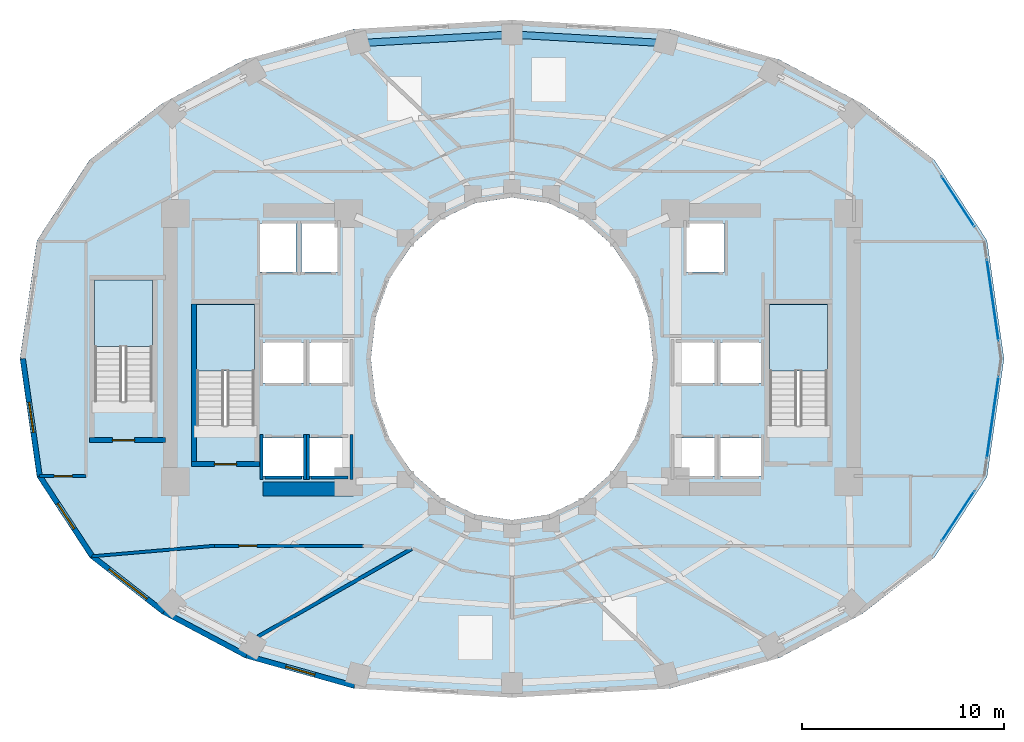
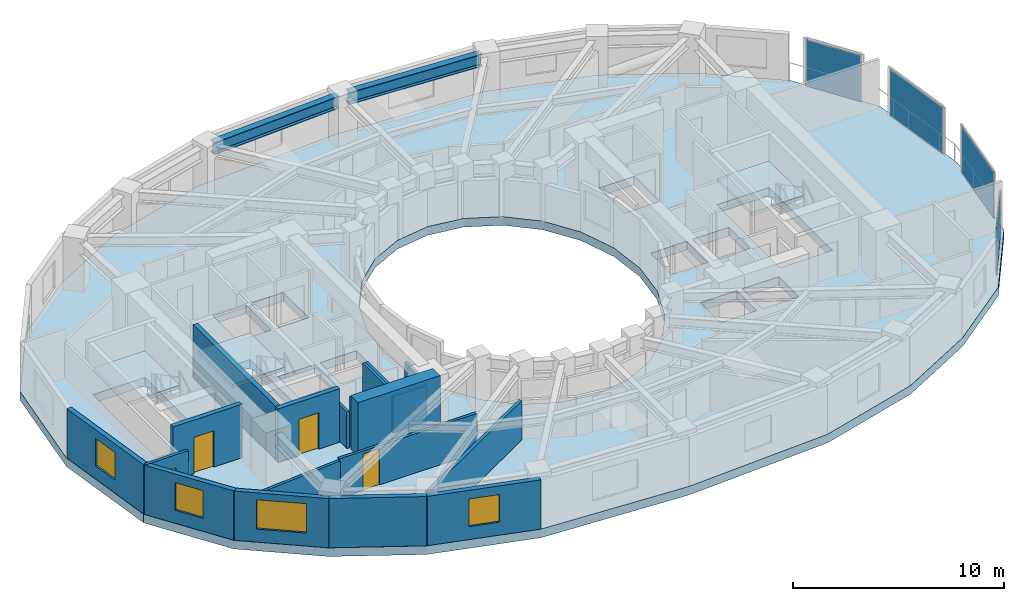
# One storey, part 6 of 13: 19 walls, 4 doors, 4 plates, 4 slabs, 4 windows, 2 beams, 8 openings, 7 elements without a shape of their own.
"""IFC4 building model written with IfcOpenShell, lengths in metres."""

from ifc_helpers import new_model, si_unit, direction, frame, frame_2d, origin, origin_2d, place, context, subcontext, project, spatial, polyline, rectangle, i_section, outline, extrude, material, layer, layer_set, material_profile, profile_set, type_object, element, fill, aggregate, save


model = new_model("IFC4")

# Units and contexts
model_context = context("Model", 3, precision=1e-05, world=origin(), true_north=direction((0.0, 1.0)))
body_context = subcontext(model_context, "Body", "Model", "MODEL_VIEW")
ifc_project = project(units=[si_unit("LENGTHUNIT", "METRE"), si_unit("AREAUNIT", "SQUARE_METRE"), si_unit("VOLUMEUNIT", "CUBIC_METRE"), si_unit("PLANEANGLEUNIT", "RADIAN"), si_unit("MASSUNIT", "GRAM", prefix="KILO")], contexts=[model_context])

# Site, building, storey
site_placement = place(None, origin())
site = spatial("IfcSite", under=ifc_project, at=site_placement, CompositionType="ELEMENT")
building_placement = place(site_placement, origin())
building = spatial("IfcBuilding", under=site, at=building_placement, Name="Solvane Sanctuary Tower", CompositionType="ELEMENT")
storey_placement = place(building_placement, frame((0.0, 0.0, 85.60009765625)))
storey = spatial("IfcBuildingStorey", under=building, at=storey_placement, Name="L25", CompositionType="ELEMENT", Elevation=85.60009765625)

# Beams
ifc_material_1 = material(Name="Steel ASTM A992 Grade 50", Category="steel")
ifc_material_profile = material_profile(ifc_material_1, i_section(OverallWidth=0.35791015625, OverallDepth=0.7060546875, WebThickness=0.018310546875, FlangeThickness=0.0302734375, FilletRadius=0.01806640625, at=origin_2d()), Name="W27X178")
ifc_profile_set = profile_set([ifc_material_profile], Name="Steel ASTM A992 Grade 50")
beam_type = type_object("IfcBeamType", Name="Beam B-SPAND-Z2 W27X178", PredefinedType="SPANDREL", material=ifc_profile_set)
for number, where, z_axis, x_axis, name in (
    (1, (24.650146484375, 38.667724609375, 2.52490234375), (0.998431364179, 0.055989383129, 0.0), (-0.055989383129, 0.998431364179, 0.0), "L25 Perimeter Spandrel Beam TC05-TC04"),
    (2, (32.279541015625, 39.064208984375, 2.52490234375), (0.998431364179, -0.055989383129, 0.0), (0.055989383129, 0.998431364179, 0.0), "L25 Perimeter Spandrel Beam TC04-TC03"),
):
    element("IfcBeam", number, at=place(storey_placement, frame(where, z_axis=z_axis, x_axis=x_axis)), inside=storey, type_object=beam_type, Name=name, PredefinedType="SPANDREL", context=body_context, shape_type="SweptSolid", body=[
        extrude(i_section(OverallWidth=0.35791015625, OverallDepth=0.7060546875, WebThickness=0.018310546875, FlangeThickness=0.0302734375, FilletRadius=0.01806640625, at=origin_2d()), origin(), (0.0, 0.0, 1.0), 7.081298828125),
    ])

# Curtain wall, plate
ifc_material_2 = material(Name="Anodised Aluminium 6063-T6", Category="aluminium")
ifc_layer_1 = layer(ifc_material_2, 0.2099609375, Name="Anodised Aluminium 6063-T6")
ifc_layer_set_1 = layer_set([ifc_layer_1], Name="Anodised Aluminium 6063-T6")
curtain_wall_type = type_object("IfcCurtainWallType", Name="Curtain Wall CW-PORTAL", PredefinedType="NOTDEFINED", material=ifc_layer_set_1)
curtain_wall_1_placement = place(storey_placement, origin())
curtain_wall_1 = element("IfcCurtainWall", 3, at=curtain_wall_1_placement, inside=storey, type_object=curtain_wall_type, Name="L25 CW-PORTAL Facade Run 00", PredefinedType="NOTDEFINED")
ifc_material_3 = material(Name="Dark Ceramic-Fritted Low-E Glass", Category="glass")
ifc_layer_2 = layer(ifc_material_3, 0.031982421875, Name="Dark Ceramic-Fritted Low-E Glass")
ifc_layer_set_2 = layer_set([ifc_layer_2], Name="Dark Ceramic-Fritted Low-E Glass")
plate_type = type_object("IfcPlateType", Name="Plate PN-FRIT-VIS", PredefinedType="CURTAIN_PANEL", material=ifc_layer_set_2)
plate_1_placement = place(storey_placement, frame((55.8408203125, 25.909423828125, 0.06494140625), z_axis=(0.0, 0.0, 1.0), x_axis=(-0.142587151113, 0.989782250971, 0.0)))
plate_1 = element("IfcPlate", 4, at=plate_1_placement, type_object=plate_type, Name="CW-PORTAL panel 1.1", PredefinedType="CURTAIN_PANEL", context=body_context, shape_type="SweptSolid", body=[
    extrude(rectangle(XDim=4.0888671875, YDim=0.031982421875, at=origin_2d()), origin(), (0.0, 0.0, 1.0), 2.7099609375),
])
aggregate(curtain_wall_1, [plate_1])

curtain_wall_2_placement = place(storey_placement, origin())
curtain_wall_2 = element("IfcCurtainWall", 5, at=curtain_wall_2_placement, inside=storey, type_object=curtain_wall_type, Name="L25 CW-PORTAL Facade Run 01", PredefinedType="NOTDEFINED")
plate_2_placement = place(storey_placement, frame((54.12109375, 30.802490234375, 0.06494140625), z_axis=(0.0, 0.0, 1.0), x_axis=(-0.548275714249, 0.8362976391, 0.0)))
plate_2 = element("IfcPlate", 6, at=plate_2_placement, type_object=plate_type, Name="CW-PORTAL panel 1.1", PredefinedType="CURTAIN_PANEL", context=body_context, shape_type="SweptSolid", body=[
    extrude(rectangle(XDim=2.954345703125, YDim=0.031982421875, at=origin_2d()), origin(), (0.0, 0.0, 1.0), 2.7099609375),
])
aggregate(curtain_wall_2, [plate_2])

curtain_wall_3_placement = place(storey_placement, origin())
curtain_wall_3 = element("IfcCurtainWall", 7, at=curtain_wall_3_placement, inside=storey, type_object=curtain_wall_type, Name="L25 CW-PORTAL Facade Run 22", PredefinedType="NOTDEFINED")
plate_3_placement = place(storey_placement, frame((54.12109375, 15.197509765625, 0.06494140625), z_axis=(0.0, 0.0, 1.0), x_axis=(0.548275714249, 0.8362976391, 0.0)))
plate_3 = element("IfcPlate", 8, at=plate_3_placement, type_object=plate_type, Name="CW-PORTAL panel 1.1", PredefinedType="CURTAIN_PANEL", context=body_context, shape_type="SweptSolid", body=[
    extrude(rectangle(XDim=2.954345703125, YDim=0.031982421875, at=origin_2d()), origin(), (0.0, 0.0, 1.0), 2.7099609375),
])
aggregate(curtain_wall_3, [plate_3])

curtain_wall_4_placement = place(storey_placement, origin())
curtain_wall_4 = element("IfcCurtainWall", 9, at=curtain_wall_4_placement, inside=storey, type_object=curtain_wall_type, Name="L25 CW-PORTAL Facade Run 23", PredefinedType="NOTDEFINED")
plate_4_placement = place(storey_placement, frame((55.8408203125, 20.090576171875, 0.06494140625), z_axis=(0.0, 0.0, 1.0), x_axis=(0.142587151113, 0.989782250971, 0.0)))
plate_4 = element("IfcPlate", 10, at=plate_4_placement, type_object=plate_type, Name="CW-PORTAL panel 1.1", PredefinedType="CURTAIN_PANEL", context=body_context, shape_type="SweptSolid", body=[
    extrude(rectangle(XDim=4.0888671875, YDim=0.031982421875, at=origin_2d()), origin(), (0.0, 0.0, 1.0), 2.7099609375),
])
aggregate(curtain_wall_4, [plate_4])

# Stair, slab
ifc_material_4 = material(Name="Concrete C45/55", Category="concrete")
stair_type = type_object("IfcStairType", Name="Stair ST-TOW", PredefinedType="HALF_TURN_STAIR", material=ifc_material_4)
stair_1_placement = place(storey_placement, origin())
stair_1 = element("IfcStair", 11, at=stair_1_placement, inside=storey, type_object=stair_type, Name="L25 Exit Stair ST-1 West Core", PredefinedType="HALF_TURN_STAIR")
ifc_layer_3 = layer(ifc_material_4, 0.199951171875, Name="Concrete C45/55")
ifc_layer_set_3 = layer_set([ifc_layer_3], Name="Concrete C45/55")
slab_type_1 = type_object("IfcSlabType", Name="Slab SL-LAND-180", PredefinedType="LANDING", material=ifc_layer_set_3)
slab_1_placement = place(storey_placement, frame((0.0, 0.0, 1.349853515625)))
slab_1 = element("IfcSlab", 12, at=slab_1_placement, type_object=slab_type_1, Name="ST-1 landing 1", PredefinedType="LANDING", context=body_context, shape_type="SweptSolid", body=[
    extrude(outline(polyline([(19.219970703125, 22.39990234375), (19.219970703125, 25.699951171875), (16.360107421875, 25.699951171875), (16.360107421875, 22.39990234375), (19.219970703125, 22.39990234375)])), origin(), (0.0, 0.0, 1.0), 0.199951171875),
])
aggregate(stair_1, [slab_1])

stair_2_placement = place(storey_placement, origin())
stair_2 = element("IfcStair", 13, at=stair_2_placement, inside=storey, type_object=stair_type, Name="L25 Exit Stair ST-2 East Core", PredefinedType="HALF_TURN_STAIR")
slab_2_placement = place(storey_placement, frame((0.0, 0.0, 1.349853515625)))
slab_2 = element("IfcSlab", 14, at=slab_2_placement, type_object=slab_type_1, Name="ST-2 landing 1", PredefinedType="LANDING", context=body_context, shape_type="SweptSolid", body=[
    extrude(outline(polyline([(47.639892578125, 22.39990234375), (47.639892578125, 25.699951171875), (44.780029296875, 25.699951171875), (44.780029296875, 22.39990234375), (47.639892578125, 22.39990234375)])), origin(), (0.0, 0.0, 1.0), 0.199951171875),
])
aggregate(stair_2, [slab_2])

stair_3_placement = place(storey_placement, origin())
stair_3 = element("IfcStair", 15, at=stair_3_placement, inside=storey, type_object=stair_type, Name="L25 Exit Stair ST-3 Pilgrim Tower Stair", PredefinedType="HALF_TURN_STAIR")
slab_3_placement = place(storey_placement, frame((0.0, 0.0, 1.349853515625)))
slab_3 = element("IfcSlab", 16, at=slab_3_placement, type_object=slab_type_1, Name="ST-3 landing 1", PredefinedType="LANDING", context=body_context, shape_type="SweptSolid", body=[
    extrude(outline(polyline([(14.159912109375, 23.60009765625), (14.159912109375, 26.89990234375), (11.300048828125, 26.89990234375), (11.300048828125, 23.60009765625), (14.159912109375, 23.60009765625)])), origin(), (0.0, 0.0, 1.0), 0.199951171875),
])
aggregate(stair_3, [slab_3])

# Slab
ifc_material_5 = material(Name="Concrete C60/75", Category="concrete")
ifc_layer_4 = layer(ifc_material_5, 0.5, Name="Concrete C60/75")
ifc_layer_set_4 = layer_set([ifc_layer_4], Name="Concrete C60/75")
slab_type_2 = type_object("IfcSlabType", Name="Slab SL-XFER-500", PredefinedType="FLOOR", material=ifc_layer_set_4)
slab_4_placement = place(storey_placement, frame((0.0, 0.0, -0.5)))
element("IfcSlab", 17, at=slab_4_placement, inside=storey, type_object=slab_type_2, Name="L25 Primary Structural Slab", PredefinedType="FLOOR", context=body_context, shape_type="SweptSolid", body=[
    extrude(outline(polyline([(56.39990234375, 23.0), (55.556884765625, 28.86376953125), (52.94091796875, 32.8623046875), (49.365478515625, 35.650390625), (45.249267578125, 37.83544921875), (39.861328125, 39.347412109375), (32.0, 39.800048828125), (24.138671875, 39.347412109375), (18.750732421875, 37.83544921875), (14.634521484375, 35.650390625), (11.05908203125, 32.8623046875), (8.443115234375, 28.86376953125), (7.60009765625, 23.0), (8.443115234375, 17.13623046875), (11.05908203125, 13.1376953125), (14.634521484375, 10.349609375), (18.750732421875, 8.16455078125), (24.138671875, 6.652587890625), (32.0, 6.199951171875), (39.861328125, 6.652587890625), (45.249267578125, 8.16455078125), (49.365478515625, 10.349609375), (52.94091796875, 13.1376953125), (55.556884765625, 17.13623046875), (56.39990234375, 23.0)]), holes=[polyline([(38.761474609375, 20.929443359375), (38.062255859375, 19.0), (36.94970703125, 17.343017578125), (35.5, 16.07177734375), (33.811767578125, 15.272705078125), (32.0, 15.0), (30.188232421875, 15.272705078125), (28.5, 16.07177734375), (27.05029296875, 17.343017578125), (25.937744140625, 19.0), (25.238525390625, 20.929443359375), (25.0, 23.0), (25.238525390625, 25.070556640625), (25.937744140625, 27.0), (27.05029296875, 28.656982421875), (28.5, 29.92822265625), (30.188232421875, 30.727294921875), (32.0, 31.0), (33.811767578125, 30.727294921875), (35.5, 29.92822265625), (36.94970703125, 28.656982421875), (38.062255859375, 27.0), (38.761474609375, 25.070556640625), (39.0, 23.0), (38.761474609375, 20.929443359375)]), polyline([(16.360107421875, 19.699951171875), (16.360107421875, 25.699951171875), (19.219970703125, 25.699951171875), (19.219970703125, 19.699951171875), (16.360107421875, 19.699951171875)]), polyline([(44.780029296875, 19.699951171875), (44.780029296875, 25.699951171875), (47.639892578125, 25.699951171875), (47.639892578125, 19.699951171875), (44.780029296875, 19.699951171875)]), polyline([(11.300048828125, 20.89990234375), (11.300048828125, 26.89990234375), (14.159912109375, 26.89990234375), (14.159912109375, 20.89990234375), (11.300048828125, 20.89990234375)]), polyline([(19.64990234375, 19.080078125), (21.64990234375, 19.080078125), (21.64990234375, 17.179931640625), (19.64990234375, 17.179931640625), (19.64990234375, 19.080078125)]), polyline([(21.949951171875, 19.080078125), (23.949951171875, 19.080078125), (23.949951171875, 17.179931640625), (21.949951171875, 17.179931640625), (21.949951171875, 19.080078125)]), polyline([(40.050048828125, 19.080078125), (42.050048828125, 19.080078125), (42.050048828125, 17.179931640625), (40.050048828125, 17.179931640625), (40.050048828125, 19.080078125)]), polyline([(42.35009765625, 19.080078125), (44.35009765625, 19.080078125), (44.35009765625, 17.179931640625), (42.35009765625, 17.179931640625), (42.35009765625, 19.080078125)]), polyline([(19.64990234375, 23.800048828125), (21.64990234375, 23.800048828125), (21.64990234375, 21.800048828125), (19.64990234375, 21.800048828125), (19.64990234375, 23.800048828125)]), polyline([(42.35009765625, 23.800048828125), (44.35009765625, 23.800048828125), (44.35009765625, 21.800048828125), (42.35009765625, 21.800048828125), (42.35009765625, 23.800048828125)]), polyline([(21.949951171875, 23.800048828125), (23.949951171875, 23.800048828125), (23.949951171875, 21.800048828125), (21.949951171875, 21.800048828125), (21.949951171875, 23.800048828125)]), polyline([(40.050048828125, 23.800048828125), (42.050048828125, 23.800048828125), (42.050048828125, 21.800048828125), (40.050048828125, 21.800048828125), (40.050048828125, 23.800048828125)]), polyline([(19.5, 29.699951171875), (21.300048828125, 29.699951171875), (21.300048828125, 27.300048828125), (19.5, 27.300048828125), (19.5, 29.699951171875)]), polyline([(21.550048828125, 29.699951171875), (23.35009765625, 29.699951171875), (23.35009765625, 27.300048828125), (21.550048828125, 27.300048828125), (21.550048828125, 29.699951171875)]), polyline([(40.64990234375, 29.699951171875), (42.550048828125, 29.699951171875), (42.550048828125, 27.300048828125), (40.64990234375, 27.300048828125), (40.64990234375, 29.699951171875)])]), origin(), (0.0, 0.0, 1.0), 0.5),
])

# Wall
ifc_layer_5 = layer(ifc_material_5, 0.699951171875, Name="Concrete C60/75")
ifc_layer_set_5 = layer_set([ifc_layer_5], Name="Concrete C60/75")
wall_type_1 = type_object("IfcWallType", Name="Wall W-CORE-700", PredefinedType="SHEAR", material=ifc_layer_set_5)
wall_1_placement = place(storey_placement, frame((19.64990234375, 16.550048828125, 0.0), z_axis=(0.0, 0.0, 1.0), x_axis=(1.0, 0.0, 0.0)))
element("IfcWall", 18, at=wall_1_placement, inside=storey, type_object=wall_type_1, Name="L25 Core Shear Wall WC-S", PredefinedType="SHEAR", context=body_context, shape_type="SweptSolid", body=[
    extrude(rectangle(XDim=4.5, YDim=0.699951171875, at=frame_2d((2.25, 0.0))), origin(), (0.0, 0.0, 1.0), 3.099853515625),
])

# Wall, opening, door
ifc_material_6 = material(Name="Acoustic Gypsum Partition Board")
ifc_layer_6 = layer(ifc_material_6, 0.14990234375, Name="Acoustic Gypsum Partition Board")
ifc_layer_set_6 = layer_set([ifc_layer_6], Name="Acoustic Gypsum Partition Board")
wall_type_2 = type_object("IfcWallType", Name="Wall W-CORR-150", PredefinedType="PARTITIONING", material=ifc_layer_set_6)
wall_2_placement = place(storey_placement, frame((8.558349609375, 17.1748046875, 0.0), z_axis=(0.0, 0.0, 1.0), x_axis=(1.0, 0.0, 0.0)))
wall_2 = element("IfcWall", 19, at=wall_2_placement, inside=storey, type_object=wall_type_2, Name="L25 West Shoulder South Wall", PredefinedType="PARTITIONING", context=body_context, shape_type="SweptSolid", body=[
    extrude(rectangle(XDim=2.321533203125, YDim=0.14990234375, at=frame_2d((1.16064453125, 0.0))), origin(), (0.0, 0.0, 1.0), 2.85498046875),
])
opening_1_placement = place(wall_2_placement, frame((0.739013671875, 0.0, 0.0)))
opening_1 = element("IfcOpeningElement", 20, at=opening_1_placement, cuts=wall_2, Name="Opening D-L25-09", PredefinedType="OPENING", context=body_context, shape_type="SweptSolid", body=[
    extrude(rectangle(XDim=0.89990234375, YDim=2.10009765625, at=frame_2d((0.449951171875, 1.050048828125))), frame((0.0, 0.0849609375, 0.0), z_axis=(0.0, -1.0, 0.0), x_axis=(1.0, 0.0, 0.0)), (0.0, 0.0, 1.0), 0.169921875),
])
ifc_material_7 = material(Name="Engineered Tropical Hardwood", Category="wood")
door_type_1 = type_object("IfcDoorType", Name="Door D-WET-900", OperationType="NOTDEFINED", PredefinedType="DOOR", material=ifc_material_7)
door_1_placement = place(opening_1_placement, origin())
door_1 = element("IfcDoor", 21, at=door_1_placement, inside=storey, type_object=door_type_1, Name="L25 West Shoulder South Door", OperationType="SINGLE_SWING_RIGHT", OverallHeight=2.10009765625, OverallWidth=0.89990234375, PredefinedType="DOOR", context=body_context, shape_type="SweptSolid", body=[
    extrude(rectangle(XDim=0.89990234375, YDim=2.10009765625, at=frame_2d((0.449951171875, 1.050048828125))), frame((0.0, 0.02490234375, 0.0), z_axis=(0.0, -1.0, 0.0), x_axis=(1.0, 0.0, 0.0)), (0.0, 0.0, 1.0), 0.050048828125),
])
fill(opening_1, door_1)

wall_3_placement = place(storey_placement, frame((17.14990234375, 13.719970703125, 0.0), z_axis=(0.0, 0.0, 1.0), x_axis=(1.0, 0.0, 0.0)))
wall_3 = element("IfcWall", 22, at=wall_3_placement, inside=storey, type_object=wall_type_2, Name="L25 SW Corner Corridor Wall", PredefinedType="PARTITIONING", context=body_context, shape_type="SweptSolid", body=[
    extrude(rectangle(XDim=7.52001953125, YDim=0.14990234375, at=frame_2d((3.760009765625, 0.0))), origin(), (0.0, 0.0, 1.0), 2.27197265625),
])
opening_2_placement = place(wall_3_placement, frame((1.300048828125, 0.0, 0.0)))
opening_2 = element("IfcOpeningElement", 23, at=opening_2_placement, cuts=wall_3, Name="Opening D-L25-12", PredefinedType="OPENING", context=body_context, shape_type="SweptSolid", body=[
    extrude(rectangle(XDim=0.89990234375, YDim=2.10009765625, at=frame_2d((0.449951171875, 1.050048828125))), frame((0.0, 0.0849609375, 0.0), z_axis=(0.0, -1.0, 0.0), x_axis=(1.0, 0.0, 0.0)), (0.0, 0.0, 1.0), 0.169921875),
])
door_2_placement = place(opening_2_placement, origin())
door_2 = element("IfcDoor", 24, at=door_2_placement, inside=storey, type_object=door_type_1, Name="L25 SW Corner Salon Door", OperationType="SINGLE_SWING_LEFT", OverallHeight=2.10009765625, OverallWidth=0.89990234375, PredefinedType="DOOR", context=body_context, shape_type="SweptSolid", body=[
    extrude(rectangle(XDim=0.89990234375, YDim=2.10009765625, at=frame_2d((0.449951171875, 1.050048828125))), frame((0.0, 0.02490234375, 0.0), z_axis=(0.0, -1.0, 0.0), x_axis=(1.0, 0.0, 0.0)), (0.0, 0.0, 1.0), 0.050048828125),
])
fill(opening_2, door_2)

# Wall
wall_4_placement = place(storey_placement, frame((17.249755859375, 13.724365234375, 0.0), z_axis=(0.0, 0.0, 1.0), x_axis=(-0.996341886029, -0.085456691633, 0.0)))
element("IfcWall", 25, at=wall_4_placement, inside=storey, type_object=wall_type_2, Name="L25 SW Corner Wing Wall", PredefinedType="PARTITIONING", context=body_context, shape_type="SweptSolid", body=[
    extrude(rectangle(XDim=6.108154296875, YDim=0.14990234375, at=frame_2d((3.05419921875, 0.0))), origin(), (0.0, 0.0, 1.0), 2.141845703125),
])

# Wall, opening, window
ifc_material_8 = material(Name="Precast concrete C40/50", Category="concrete")
ifc_layer_7 = layer(ifc_material_8, 0.260009765625, Name="Precast concrete C40/50")
ifc_layer_set_7 = layer_set([ifc_layer_7], Name="Precast concrete C40/50")
wall_type_3 = type_object("IfcWallType", Name="Wall W-EXT-250", PredefinedType="STANDARD", material=ifc_layer_set_7)
wall_5_placement = place(storey_placement, frame((7.739990234375, 23.0, 0.0), z_axis=(0.0, 0.0, 1.0), x_axis=(0.142572472068, -0.98978436551, 0.0)))
wall_5 = element("IfcWall", 26, at=wall_5_placement, inside=storey, type_object=wall_type_3, Name="L25 Ceramic-Printed Facade Wall 12", PredefinedType="STANDARD", context=body_context, shape_type="SweptSolid", body=[
    extrude(rectangle(XDim=5.878662109375, YDim=0.260009765625, at=frame_2d((2.939453125, 0.0))), origin(), (0.0, 0.0, 1.0), 2.849853515625),
])
opening_3_placement = place(wall_5_placement, frame((2.189453125, 0.0, 0.75)))
opening_3 = element("IfcOpeningElement", 27, at=opening_3_placement, cuts=wall_5, Name="Opening WN-OPER-1500", PredefinedType="OPENING", context=body_context, shape_type="SweptSolid", body=[
    extrude(rectangle(XDim=1.5, YDim=1.60009765625, at=frame_2d((0.75, 0.800048828125))), frame((0.0, 0.139892578125, 0.0), z_axis=(0.0, -1.0, 0.0), x_axis=(1.0, 0.0, 0.0)), (0.0, 0.0, 1.0), 0.280029296875),
])
window_type_1 = type_object("IfcWindowType", Name="Window WN-OPER-1500", PartitioningType="SINGLE_PANEL", PredefinedType="WINDOW", material=ifc_material_3)
window_1_placement = place(opening_3_placement, origin())
window_1 = element("IfcWindow", 28, at=window_1_placement, inside=storey, type_object=window_type_1, Name="L25 Operable Facade Window 12", OverallHeight=1.60009765625, OverallWidth=1.5, PartitioningType="SINGLE_PANEL", PredefinedType="WINDOW", context=body_context, shape_type="SweptSolid", body=[
    extrude(rectangle(XDim=1.5, YDim=1.60009765625, at=frame_2d((0.75, 0.800048828125))), frame((0.0, 0.030029296875, 0.0), z_axis=(0.0, -1.0, 0.0), x_axis=(1.0, 0.0, 0.0)), (0.0, 0.0, 1.0), 0.06005859375),
])
fill(opening_3, window_1)

wall_6_placement = place(storey_placement, frame((8.578125, 17.181396484375, 0.0), z_axis=(0.0, 0.0, 1.0), x_axis=(0.548283220945, -0.836292717672, 0.0)))
wall_6 = element("IfcWall", 29, at=wall_6_placement, inside=storey, type_object=wall_type_3, Name="L25 Ceramic-Printed Facade Wall 13", PredefinedType="STANDARD", context=body_context, shape_type="SweptSolid", body=[
    extrude(rectangle(XDim=4.744384765625, YDim=0.260009765625, at=frame_2d((2.3720703125, 0.0))), origin(), (0.0, 0.0, 1.0), 2.849853515625),
])
opening_4_placement = place(wall_6_placement, frame((1.622314453125, 0.0, 0.75)))
opening_4 = element("IfcOpeningElement", 30, at=opening_4_placement, cuts=wall_6, Name="Opening WN-OPER-1500", PredefinedType="OPENING", context=body_context, shape_type="SweptSolid", body=[
    extrude(rectangle(XDim=1.5, YDim=1.60009765625, at=frame_2d((0.75, 0.800048828125))), frame((0.0, 0.139892578125, 0.0), z_axis=(0.0, -1.0, 0.0), x_axis=(1.0, 0.0, 0.0)), (0.0, 0.0, 1.0), 0.280029296875),
])
window_2_placement = place(opening_4_placement, origin())
window_2 = element("IfcWindow", 31, at=window_2_placement, inside=storey, type_object=window_type_1, Name="L25 Operable Facade Window 13", OverallHeight=1.60009765625, OverallWidth=1.5, PartitioningType="SINGLE_PANEL", PredefinedType="WINDOW", context=body_context, shape_type="SweptSolid", body=[
    extrude(rectangle(XDim=1.5, YDim=1.60009765625, at=frame_2d((0.75, 0.800048828125))), frame((0.0, 0.030029296875, 0.0), z_axis=(0.0, -1.0, 0.0), x_axis=(1.0, 0.0, 0.0)), (0.0, 0.0, 1.0), 0.06005859375),
])
fill(opening_4, window_2)

wall_7_placement = place(storey_placement, frame((11.179443359375, 13.213623046875, 0.0), z_axis=(0.0, 0.0, 1.0), x_axis=(0.789127449954, -0.614229491094, 0.0)))
wall_7 = element("IfcWall", 32, at=wall_7_placement, inside=storey, type_object=wall_type_3, Name="L25 Ceramic-Printed Facade Wall 14", PredefinedType="STANDARD", context=body_context, shape_type="SweptSolid", body=[
    extrude(rectangle(XDim=4.504638671875, YDim=0.260009765625, at=frame_2d((2.25244140625, 0.0))), origin(), (0.0, 0.0, 1.0), 2.849853515625),
])
opening_5_placement = place(wall_7_placement, frame((1.05224609375, 0.0, 0.75)))
opening_5 = element("IfcOpeningElement", 33, at=opening_5_placement, cuts=wall_7, Name="Opening WN-RIB-2400", PredefinedType="OPENING", context=body_context, shape_type="SweptSolid", body=[
    extrude(rectangle(XDim=2.39990234375, YDim=1.699951171875, at=frame_2d((1.199951171875, 0.85009765625))), frame((0.0, 0.139892578125, 0.0), z_axis=(0.0, -1.0, 0.0), x_axis=(1.0, 0.0, 0.0)), (0.0, 0.0, 1.0), 0.280029296875),
])
window_type_2 = type_object("IfcWindowType", Name="Window WN-RIB-2400", PartitioningType="SINGLE_PANEL", PredefinedType="WINDOW", material=ifc_material_3)
window_3_placement = place(opening_5_placement, origin())
window_3 = element("IfcWindow", 34, at=window_3_placement, inside=storey, type_object=window_type_2, Name="L25 Operable Facade Window 14", OverallHeight=1.699951171875, OverallWidth=2.39990234375, PartitioningType="SINGLE_PANEL", PredefinedType="WINDOW", context=body_context, shape_type="SweptSolid", body=[
    extrude(rectangle(XDim=2.39990234375, YDim=1.699951171875, at=frame_2d((1.199951171875, 0.85009765625))), frame((0.0, 0.030029296875, 0.0), z_axis=(0.0, -1.0, 0.0), x_axis=(1.0, 0.0, 0.0)), (0.0, 0.0, 1.0), 0.06005859375),
])
fill(opening_5, window_3)

# Wall
wall_8_placement = place(storey_placement, frame((14.734130859375, 10.44677734375, 0.0), z_axis=(0.0, 0.0, 1.0), x_axis=(0.883668636807, -0.4681129568, 0.0)))
element("IfcWall", 35, at=wall_8_placement, inside=storey, type_object=wall_type_3, Name="L25 Ceramic-Printed Facade Wall 15", PredefinedType="STANDARD", context=body_context, shape_type="SweptSolid", body=[
    extrude(rectangle(XDim=4.63134765625, YDim=0.260009765625, at=frame_2d((2.315673828125, 0.0))), origin(), (0.0, 0.0, 1.0), 2.849853515625),
])

# Wall, opening, window
wall_9_placement = place(storey_placement, frame((18.82666015625, 8.27880859375, 0.0), z_axis=(0.0, 0.0, 1.0), x_axis=(0.962938491413, -0.269721081407, 0.0)))
wall_9 = element("IfcWall", 36, at=wall_9_placement, inside=storey, type_object=wall_type_3, Name="L25 Ceramic-Printed Facade Wall 16", PredefinedType="STANDARD", context=body_context, shape_type="SweptSolid", body=[
    extrude(rectangle(XDim=5.563232421875, YDim=0.260009765625, at=frame_2d((2.78173828125, 0.0))), origin(), (0.0, 0.0, 1.0), 2.849853515625),
])
opening_6_placement = place(wall_9_placement, frame((2.031494140625, 0.0, 0.75)))
opening_6 = element("IfcOpeningElement", 37, at=opening_6_placement, cuts=wall_9, Name="Opening WN-OPER-1500", PredefinedType="OPENING", context=body_context, shape_type="SweptSolid", body=[
    extrude(rectangle(XDim=1.5, YDim=1.60009765625, at=frame_2d((0.75, 0.800048828125))), frame((0.0, 0.139892578125, 0.0), z_axis=(0.0, -1.0, 0.0), x_axis=(1.0, 0.0, 0.0)), (0.0, 0.0, 1.0), 0.280029296875),
])
window_4_placement = place(opening_6_placement, origin())
window_4 = element("IfcWindow", 38, at=window_4_placement, inside=storey, type_object=window_type_1, Name="L25 Operable Facade Window 16", OverallHeight=1.60009765625, OverallWidth=1.5, PartitioningType="SINGLE_PANEL", PredefinedType="WINDOW", context=body_context, shape_type="SweptSolid", body=[
    extrude(rectangle(XDim=1.5, YDim=1.60009765625, at=frame_2d((0.75, 0.800048828125))), frame((0.0, 0.030029296875, 0.0), z_axis=(0.0, -1.0, 0.0), x_axis=(1.0, 0.0, 0.0)), (0.0, 0.0, 1.0), 0.06005859375),
])
fill(opening_6, window_4)

# Walls
ifc_material_9 = material(Name="Concrete C50/60", Category="concrete")
ifc_layer_8 = layer(ifc_material_9, 0.14990234375, Name="Concrete C50/60")
ifc_layer_set_8 = layer_set([ifc_layer_8], Name="Concrete C50/60")
wall_type_4 = type_object("IfcWallType", Name="Wall W-SHAFT-150", PredefinedType="SOLIDWALL", material=ifc_layer_set_8)
wall_10_placement = place(storey_placement, frame((19.739990234375, 17.10009765625, 0.0), z_axis=(0.0, 0.0, 1.0), x_axis=(1.0, 0.0, 0.0)))
element("IfcWall", 39, at=wall_10_placement, inside=storey, type_object=wall_type_4, Name="L25 PL-1 Lift Shaft Wall B", PredefinedType="SOLIDWALL", context=body_context, shape_type="SweptSolid", body=[
    extrude(rectangle(XDim=1.820068359375, YDim=0.14990234375, at=frame_2d((0.91015625, 0.0))), origin(), (0.0, 0.0, 1.0), 2.85498046875),
])
wall_11_placement = place(storey_placement, frame((19.570068359375, 17.02001953125, 0.0), z_axis=(0.0, 0.0, 1.0), x_axis=(0.0, 1.0, 0.0)))
element("IfcWall", 40, at=wall_11_placement, inside=storey, type_object=wall_type_4, Name="L25 PL-1 Lift Shaft Wall S1", PredefinedType="SOLIDWALL", context=body_context, shape_type="SweptSolid", body=[
    extrude(rectangle(XDim=2.219970703125, YDim=0.14990234375, at=frame_2d((1.10986328125, 0.0))), origin(), (0.0, 0.0, 1.0), 2.119873046875),
])
wall_12_placement = place(storey_placement, frame((21.72998046875, 17.02001953125, 0.0), z_axis=(0.0, 0.0, 1.0), x_axis=(0.0, 1.0, 0.0)))
element("IfcWall", 41, at=wall_12_placement, inside=storey, type_object=wall_type_4, Name="L25 PL-1 Lift Shaft Wall S2", PredefinedType="SOLIDWALL", context=body_context, shape_type="SweptSolid", body=[
    extrude(rectangle(XDim=2.219970703125, YDim=0.14990234375, at=frame_2d((1.10986328125, 0.0))), origin(), (0.0, 0.0, 1.0), 2.85498046875),
])
wall_13_placement = place(storey_placement, frame((22.0400390625, 17.10009765625, 0.0), z_axis=(0.0, 0.0, 1.0), x_axis=(1.0, 0.0, 0.0)))
element("IfcWall", 42, at=wall_13_placement, inside=storey, type_object=wall_type_4, Name="L25 PL-2 Lift Shaft Wall B", PredefinedType="SOLIDWALL", context=body_context, shape_type="SweptSolid", body=[
    extrude(rectangle(XDim=1.820068359375, YDim=0.14990234375, at=frame_2d((0.91015625, 0.0))), origin(), (0.0, 0.0, 1.0), 2.119873046875),
])
wall_14_placement = place(storey_placement, frame((21.8701171875, 17.02001953125, 0.0), z_axis=(0.0, 0.0, 1.0), x_axis=(0.0, 1.0, 0.0)))
element("IfcWall", 43, at=wall_14_placement, inside=storey, type_object=wall_type_4, Name="L25 PL-2 Lift Shaft Wall S1", PredefinedType="SOLIDWALL", context=body_context, shape_type="SweptSolid", body=[
    extrude(rectangle(XDim=2.219970703125, YDim=0.14990234375, at=frame_2d((1.10986328125, 0.0))), origin(), (0.0, 0.0, 1.0), 2.85498046875),
])
wall_15_placement = place(storey_placement, frame((24.030029296875, 17.02001953125, 0.0), z_axis=(0.0, 0.0, 1.0), x_axis=(0.0, 1.0, 0.0)))
element("IfcWall", 44, at=wall_15_placement, inside=storey, type_object=wall_type_4, Name="L25 PL-2 Lift Shaft Wall S2", PredefinedType="SOLIDWALL", context=body_context, shape_type="SweptSolid", body=[
    extrude(rectangle(XDim=2.219970703125, YDim=0.14990234375, at=frame_2d((1.10986328125, 0.0))), origin(), (0.0, 0.0, 1.0), 2.119873046875),
])

# Wall, opening, door
ifc_layer_9 = layer(ifc_material_9, 0.25, Name="Concrete C50/60")
ifc_layer_set_9 = layer_set([ifc_layer_9], Name="Concrete C50/60")
wall_type_5 = type_object("IfcWallType", Name="Wall W-SHAFT-250", PredefinedType="SOLIDWALL", material=ifc_layer_set_9)
wall_16_placement = place(storey_placement, frame((16.10498046875, 17.77001953125, 0.0), z_axis=(0.0, 0.0, 1.0), x_axis=(1.0, 0.0, 0.0)))
wall_16 = element("IfcWall", 45, at=wall_16_placement, inside=storey, type_object=wall_type_5, Name="L25 ST-1 Load-Bearing Shaft Wall S", PredefinedType="SOLIDWALL", context=body_context, shape_type="SweptSolid", body=[
    extrude(rectangle(XDim=3.3701171875, YDim=0.25, at=frame_2d((1.68505859375, 0.0))), origin(), (0.0, 0.0, 1.0), 3.099853515625),
])
opening_7_placement = place(wall_16_placement, frame((1.135009765625, 0.0, 0.0)))
opening_7 = element("IfcOpeningElement", 46, at=opening_7_placement, cuts=wall_16, Name="Opening D-L25-01", PredefinedType="OPENING", context=body_context, shape_type="SweptSolid", body=[
    extrude(rectangle(XDim=1.10009765625, YDim=2.10009765625, at=frame_2d((0.550048828125, 1.050048828125))), frame((0.0, 0.135009765625, 0.0), z_axis=(0.0, -1.0, 0.0), x_axis=(1.0, 0.0, 0.0)), (0.0, 0.0, 1.0), 0.27001953125),
])
ifc_material_10 = material(Name="Architectural Stainless Steel 316", Category="steel")
door_type_2 = type_object("IfcDoorType", Name="Door D-STAIR", OperationType="NOTDEFINED", PredefinedType="DOOR", material=ifc_material_10)
door_3_placement = place(opening_7_placement, origin())
door_3 = element("IfcDoor", 47, at=door_3_placement, inside=storey, type_object=door_type_2, Name="L25 ST-1 Exit Stair Fire Door", OperationType="SINGLE_SWING_LEFT", OverallHeight=2.10009765625, OverallWidth=1.10009765625, PredefinedType="DOOR", context=body_context, shape_type="SweptSolid", body=[
    extrude(rectangle(XDim=1.10009765625, YDim=2.10009765625, at=frame_2d((0.550048828125, 1.050048828125))), frame((0.0, 0.02490234375, 0.0), z_axis=(0.0, -1.0, 0.0), x_axis=(1.0, 0.0, 0.0)), (0.0, 0.0, 1.0), 0.050048828125),
])
fill(opening_7, door_3)

# Wall
wall_17_placement = place(storey_placement, frame((16.22998046875, 17.89501953125, 0.0), z_axis=(0.0, 0.0, 1.0), x_axis=(0.0, 1.0, 0.0)))
element("IfcWall", 48, at=wall_17_placement, inside=storey, type_object=wall_type_5, Name="L25 ST-1 Load-Bearing Shaft Wall W", PredefinedType="SOLIDWALL", context=body_context, shape_type="SweptSolid", body=[
    extrude(rectangle(XDim=7.81005859375, YDim=0.25, at=frame_2d((3.905029296875, 0.0))), origin(), (0.0, 0.0, 1.0), 3.099853515625),
])

# Wall, opening, door
wall_18_placement = place(storey_placement, frame((11.044921875, 18.969970703125, 0.0), z_axis=(0.0, 0.0, 1.0), x_axis=(1.0, 0.0, 0.0)))
wall_18 = element("IfcWall", 49, at=wall_18_placement, inside=storey, type_object=wall_type_5, Name="L25 ST-3 Load-Bearing Shaft Wall S", PredefinedType="SOLIDWALL", context=body_context, shape_type="SweptSolid", body=[
    extrude(rectangle(XDim=3.781982421875, YDim=0.25, at=frame_2d((1.89111328125, 0.0))), origin(), (0.0, 0.0, 1.0), 3.099853515625),
])
opening_8_placement = place(wall_18_placement, frame((1.135009765625, 0.0, 0.0)))
opening_8 = element("IfcOpeningElement", 50, at=opening_8_placement, cuts=wall_18, Name="Opening D-L25-03", PredefinedType="OPENING", context=body_context, shape_type="SweptSolid", body=[
    extrude(rectangle(XDim=1.10009765625, YDim=2.10009765625, at=frame_2d((0.550048828125, 1.050048828125))), frame((0.0, 0.135009765625, 0.0), z_axis=(0.0, -1.0, 0.0), x_axis=(1.0, 0.0, 0.0)), (0.0, 0.0, 1.0), 0.27001953125),
])
door_4_placement = place(opening_8_placement, origin())
door_4 = element("IfcDoor", 51, at=door_4_placement, inside=storey, type_object=door_type_2, Name="L25 ST-3 Exit Stair Fire Door", OperationType="SINGLE_SWING_LEFT", OverallHeight=2.10009765625, OverallWidth=1.10009765625, PredefinedType="DOOR", context=body_context, shape_type="SweptSolid", body=[
    extrude(rectangle(XDim=1.10009765625, YDim=2.10009765625, at=frame_2d((0.550048828125, 1.050048828125))), frame((0.0, 0.02490234375, 0.0), z_axis=(0.0, -1.0, 0.0), x_axis=(1.0, 0.0, 0.0)), (0.0, 0.0, 1.0), 0.050048828125),
])
fill(opening_8, door_4)

# Wall
ifc_layer_10 = layer(ifc_material_6, 0.179931640625, Name="Acoustic Gypsum Partition Board")
ifc_layer_set_10 = layer_set([ifc_layer_10], Name="Acoustic Gypsum Partition Board")
wall_type_6 = type_object("IfcWallType", Name="Wall W-UNIT-180", PredefinedType="PARTITIONING", material=ifc_layer_set_10)
wall_19_placement = place(storey_placement, frame((27.027099609375, 13.576416015625, 0.0), z_axis=(0.0, 0.0, 1.0), x_axis=(-0.868484076301, -0.495717065685, 0.0)))
element("IfcWall", 52, at=wall_19_placement, inside=storey, type_object=wall_type_6, Name="L25 Radial Compartment Wall 240", PredefinedType="PARTITIONING", context=body_context, shape_type="SweptSolid", body=[
    extrude(rectangle(XDim=8.78857421875, YDim=0.179931640625, at=frame_2d((4.394287109375, 0.0))), origin(), (0.0, 0.0, 1.0), 2.27197265625),
])

save(model, "model.ifc")
